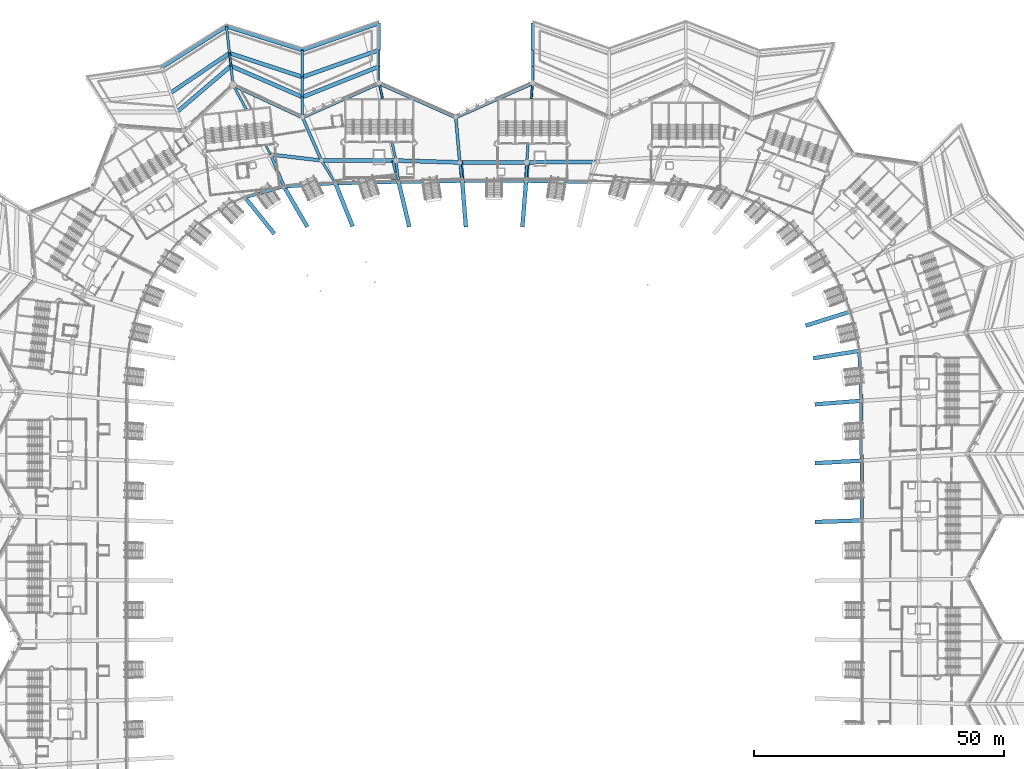
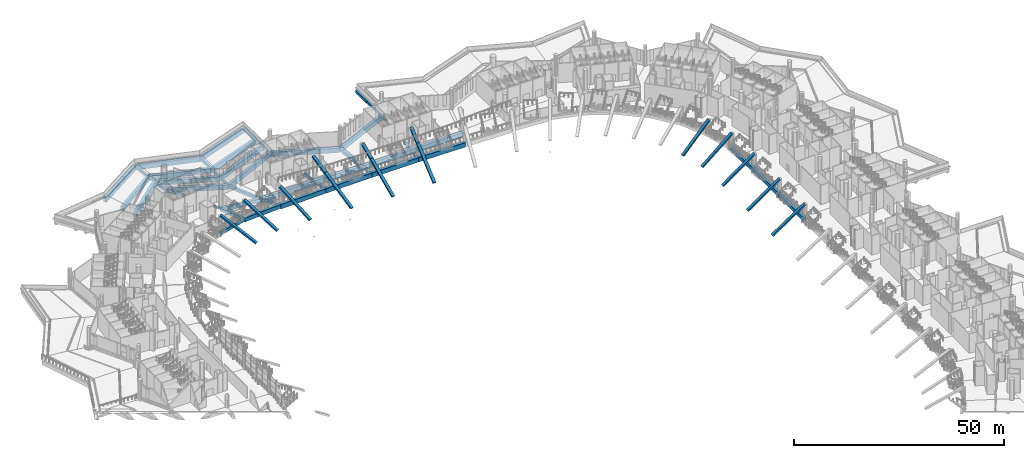
# One storey, part 18 of 173: 66 beams.
"""IFC4 building model written with IfcOpenShell, lengths in metres."""

from ifc_helpers import new_model, si_unit, direction, frame, origin, origin_2d, place, context, subcontext, project, spatial, rectangle, extrude, material, material_profile, profile_set, type_object, element, save


model = new_model("IFC4")

# Units and contexts
model_context = context("Model", 3, precision=1e-05, world=origin(), true_north=direction((0.0, 1.0)))
body_context = subcontext(model_context, "Body", "Model", "MODEL_VIEW")
ifc_project = project(units=[si_unit("LENGTHUNIT", "METRE"), si_unit("AREAUNIT", "SQUARE_METRE"), si_unit("VOLUMEUNIT", "CUBIC_METRE"), si_unit("PLANEANGLEUNIT", "RADIAN"), si_unit("MASSUNIT", "GRAM", prefix="KILO")], contexts=[model_context])

# Site, building, storey
site_placement = place(None, origin())
site = spatial("IfcSite", under=ifc_project, at=site_placement, CompositionType="ELEMENT")
building_placement = place(site_placement, origin())
building = spatial("IfcBuilding", under=site, at=building_placement, Name="Meseta Stadium", CompositionType="ELEMENT")
storey_placement = place(building_placement, frame((0.0, 0.0, 18.0)))
storey = spatial("IfcBuildingStorey", under=building, at=storey_placement, Name="L03", CompositionType="ELEMENT", Elevation=18.0)

# Beams
ifc_material_1 = material(Name="Concrete C40/50", Category="concrete")
ifc_material_profile_1 = material_profile(ifc_material_1, rectangle(XDim=0.39990234375, YDim=0.60009765625, at=origin_2d()), Name="RC 400x600")
ifc_profile_set_1 = profile_set([ifc_material_profile_1], Name="Concrete C40/50")
beam_type_1 = type_object("IfcBeamType", Name="RC beam 400x600", PredefinedType="BEAM", material=ifc_profile_set_1)
beam_1_placement = place(storey_placement, frame((7.44189453125, 102.300048828125, -0.64990234375), z_axis=(0.072346739974, 0.997379541205, 0.0), x_axis=(-0.997379541205, 0.072346739974, 0.0)))
element("IfcBeam", 1, at=beam_1_placement, inside=storey, type_object=beam_type_1, Name="L03 radial beam frame 18 line P to R", PredefinedType="BEAM", context=body_context, shape_type="SweptSolid", body=[
    extrude(rectangle(XDim=0.39990234375, YDim=0.60009765625, at=origin_2d()), origin(), (0.0, 0.0, 1.0), 3.10791015625),
])
beam_2_placement = place(storey_placement, frame((-22.3251953125, 102.300048828125, -0.64990234375), z_axis=(-0.212707595725, 0.977115898305, 0.0), x_axis=(-0.977115898305, -0.212707595725, 0.0)))
element("IfcBeam", 2, at=beam_2_placement, inside=storey, type_object=beam_type_1, Name="L03 radial beam frame 20 line P to R", PredefinedType="BEAM", context=body_context, shape_type="SweptSolid", body=[
    extrude(rectangle(XDim=0.39990234375, YDim=0.60009765625, at=origin_2d()), origin(), (0.0, 0.0, 1.0), 3.17236328125),
])
beam_3_placement = place(storey_placement, frame((-44.6826171875, 91.0908203125, -0.64990234375), z_axis=(-0.474170370951, 0.880433108937, 0.0), x_axis=(-0.880433108937, -0.474170370951, 0.0)))
element("IfcBeam", 3, at=beam_3_placement, inside=storey, type_object=beam_type_1, Name="L03 radial beam frame 22 line P to R", PredefinedType="BEAM", context=body_context, shape_type="SweptSolid", body=[
    extrude(rectangle(XDim=0.39990234375, YDim=0.60009765625, at=origin_2d()), origin(), (0.0, 0.0, 1.0), 2.063720703125),
])
for number, where, z_axis, x_axis, name in (
    (4, (7.666748046875, 105.39990234375, -0.699951171875), (0.0, 1.0, 0.0), (-1.0, 0.0, 0.0), "L03 radial beam frame 18 line R to M"),
    (5, (7.666748046875, 108.699951171875, -0.699951171875), (0.0, 1.0, 0.0), (-1.0, 0.0, 0.0), "L03 radial beam frame 18 line M to Q"),
    (6, (-23.0, 105.39990234375, -0.699951171875), (0.0, 1.0, 0.0), (-1.0, 0.0, 0.0), "L03 radial beam frame 20 line R to M"),
    (7, (-23.0, 108.699951171875, -0.699951171875), (0.0, 1.0, 0.0), (-1.0, 0.0, 0.0), "L03 radial beam frame 20 line M to Q"),
):
    element("IfcBeam", number, at=place(storey_placement, frame(where, z_axis=z_axis, x_axis=x_axis)), inside=storey, type_object=beam_type_1, Name=name, PredefinedType="BEAM", context=body_context, shape_type="SweptSolid", body=[
        extrude(rectangle(XDim=0.39990234375, YDim=0.60009765625, at=origin_2d()), origin(), (0.0, 0.0, 1.0), 3.300048828125),
    ])
beam_4_placement = place(storey_placement, frame((-52.626220703125, 108.80810546875, -0.699951171875), z_axis=(-0.111926742176, 0.99371646076, 0.0), x_axis=(-0.99371646076, -0.111926742176, 0.0)))
element("IfcBeam", 8, at=beam_4_placement, inside=storey, type_object=beam_type_1, Name="L03 radial beam frame 22 line M to Q", PredefinedType="BEAM", context=body_context, shape_type="SweptSolid", body=[
    extrude(rectangle(XDim=0.39990234375, YDim=0.60009765625, at=origin_2d()), origin(), (0.0, 0.0, 1.0), 2.580322265625),
])
ifc_material_2 = material(Name="Concrete C40/50", Category="concrete")
ifc_material_profile_2 = material_profile(ifc_material_2, rectangle(XDim=0.5, YDim=0.75, at=origin_2d()), Name="RC 500x750")
ifc_profile_set_2 = profile_set([ifc_material_profile_2], Name="Concrete C40/50")
beam_type_2 = type_object("IfcBeamType", Name="RC beam 500x750", PredefinedType="BEAM", material=ifc_profile_set_2)
beam_5_placement = place(storey_placement, frame((6.386962890625, 85.876708984375, -0.72509765625), z_axis=(0.035437776234, 0.999371884743, 0.0), x_axis=(-0.999371884743, 0.035437776234, 0.0)))
element("IfcBeam", 9, at=beam_5_placement, inside=storey, type_object=beam_type_2, Name="L03 radial beam frame 18 line E to P", PredefinedType="BEAM", context=body_context, shape_type="SweptSolid", body=[
    extrude(rectangle(XDim=0.5, YDim=0.75, at=origin_2d()), origin(), (0.0, 0.0, 1.0), 3.671875),
])
beam_6_placement = place(storey_placement, frame((6.51708984375, 89.54638671875, -0.72509765625), z_axis=(0.072312695021, 0.997382010134, 0.0), x_axis=(-0.997382010134, 0.072312695021, 0.0)))
element("IfcBeam", 10, at=beam_6_placement, inside=storey, type_object=beam_type_2, Name="L03 radial beam frame 18 line P to R", PredefinedType="BEAM", context=body_context, shape_type="SweptSolid", body=[
    extrude(rectangle(XDim=0.5, YDim=0.75, at=origin_2d()), origin(), (0.0, 0.0, 1.0), 3.6630859375),
])
beam_7_placement = place(storey_placement, frame((-6.386962890625, 85.876708984375, -0.72509765625), z_axis=(-0.131671729661, 0.991293375146, 0.0), x_axis=(-0.991293375146, -0.131671729661, 0.0)))
element("IfcBeam", 11, at=beam_7_placement, inside=storey, type_object=beam_type_2, Name="L03 radial beam frame 19 line E to P", PredefinedType="BEAM", context=body_context, shape_type="SweptSolid", body=[
    extrude(rectangle(XDim=0.5, YDim=0.75, at=origin_2d()), origin(), (0.0, 0.0, 1.0), 3.673095703125),
])
beam_8_placement = place(storey_placement, frame((-19.11865234375, 85.6982421875, -0.72509765625), z_axis=(-0.120104176055, 0.992761294015, 0.0), x_axis=(-0.992761294015, -0.120104176055, 0.0)))
element("IfcBeam", 12, at=beam_8_placement, inside=storey, type_object=beam_type_2, Name="L03 radial beam frame 20 line E to P", PredefinedType="BEAM", context=body_context, shape_type="SweptSolid", body=[
    extrude(rectangle(XDim=0.5, YDim=0.75, at=origin_2d()), origin(), (0.0, 0.0, 1.0), 4.236328125),
])
beam_9_placement = place(storey_placement, frame((-19.62744140625, 89.90380859375, -0.72509765625), z_axis=(-0.212671990307, 0.977123648541, 0.0), x_axis=(-0.977123648541, -0.212671990307, 0.0)))
element("IfcBeam", 13, at=beam_9_placement, inside=storey, type_object=beam_type_2, Name="L03 radial beam frame 20 line P to R", PredefinedType="BEAM", context=body_context, shape_type="SweptSolid", body=[
    extrude(rectangle(XDim=0.5, YDim=0.75, at=origin_2d()), origin(), (0.0, 0.0, 1.0), 3.680419921875),
])
beam_10_placement = place(storey_placement, frame((-31.73681640625, 85.376708984375, -0.72509765625), z_axis=(-0.52451674702, 0.85140013043, 0.0), x_axis=(-0.85140013043, -0.52451674702, 0.0)))
element("IfcBeam", 14, at=beam_10_placement, inside=storey, type_object=beam_type_2, Name="L03 radial beam frame 21 line E to P", PredefinedType="BEAM", context=body_context, shape_type="SweptSolid", body=[
    extrude(rectangle(XDim=0.5, YDim=0.75, at=origin_2d()), origin(), (0.0, 0.0, 1.0), 5.32666015625),
])
beam_11_placement = place(storey_placement, frame((-49.54541015625, 100.1181640625, -0.72509765625), z_axis=(-0.474227121741, 0.880402542594, 0.0), x_axis=(-0.880402542594, -0.474227121741, 0.0)))
element("IfcBeam", 15, at=beam_11_placement, inside=storey, type_object=beam_type_2, Name="L03 radial beam frame 22 line P to R", PredefinedType="BEAM", context=body_context, shape_type="SweptSolid", body=[
    extrude(rectangle(XDim=0.5, YDim=0.75, at=origin_2d()), origin(), (0.0, 0.0, 1.0), 5.603759765625),
])
for number, where, z_axis, x_axis, name in (
    (16, (7.666748046875, 112.0, -0.77490234375), (0.0, 1.0, 0.0), (-1.0, 0.0, 0.0), "L03 radial beam frame 18 line Q to O"),
    (17, (-23.0, 112.0, -0.77490234375), (0.0, 1.0, 0.0), (-1.0, 0.0, 0.0), "L03 radial beam frame 20 line Q to O"),
):
    element("IfcBeam", number, at=place(storey_placement, frame(where, z_axis=z_axis, x_axis=x_axis)), inside=storey, type_object=beam_type_2, Name=name, PredefinedType="BEAM", context=body_context, shape_type="SweptSolid", body=[
        extrude(rectangle(XDim=0.5, YDim=0.75, at=origin_2d()), origin(), (0.0, 0.0, 1.0), 5.39990234375),
    ])
for number, where, z_axis, x_axis, name in (
    (18, (-38.333251953125, 98.60009765625, -0.77490234375), (0.0, 1.0, 0.0), (-1.0, 0.0, 0.0), "L03 radial beam frame 21 line R to M"),
    (19, (-38.333251953125, 102.60009765625, -0.77490234375), (0.0, 1.0, 0.0), (-1.0, 0.0, 0.0), "L03 radial beam frame 21 line M to Q"),
):
    element("IfcBeam", number, at=place(storey_placement, frame(where, z_axis=z_axis, x_axis=x_axis)), inside=storey, type_object=beam_type_2, Name=name, PredefinedType="BEAM", context=body_context, shape_type="SweptSolid", body=[
        extrude(rectangle(XDim=0.5, YDim=0.75, at=origin_2d()), origin(), (0.0, 0.0, 1.0), 4.0),
    ])
beam_12_placement = place(storey_placement, frame((-38.333251953125, 106.60009765625, -0.77490234375), z_axis=(0.0, 1.0, 0.0), x_axis=(-1.0, 0.0, 0.0)))
element("IfcBeam", 20, at=beam_12_placement, inside=storey, type_object=beam_type_2, Name="L03 radial beam frame 21 line Q to O", PredefinedType="BEAM", context=body_context, shape_type="SweptSolid", body=[
    extrude(rectangle(XDim=0.5, YDim=0.75, at=origin_2d()), origin(), (0.0, 0.0, 1.0), 5.39990234375),
])
beam_13_placement = place(storey_placement, frame((-52.202880859375, 105.0517578125, -0.77490234375), z_axis=(-0.111990888536, 0.993709233571, 0.0), x_axis=(-0.993709233571, -0.111990888536, 0.0)))
element("IfcBeam", 21, at=beam_13_placement, inside=storey, type_object=beam_type_2, Name="L03 radial beam frame 22 line R to M", PredefinedType="BEAM", context=body_context, shape_type="SweptSolid", body=[
    extrude(rectangle(XDim=0.5, YDim=0.75, at=origin_2d()), origin(), (0.0, 0.0, 1.0), 3.780029296875),
])
beam_14_placement = place(storey_placement, frame((-52.9150390625, 111.372314453125, -0.77490234375), z_axis=(-0.111944897098, 0.993714415722, 0.0), x_axis=(-0.993714415722, -0.111944897098, 0.0)))
element("IfcBeam", 22, at=beam_14_placement, inside=storey, type_object=beam_type_2, Name="L03 radial beam frame 22 line Q to O", PredefinedType="BEAM", context=body_context, shape_type="SweptSolid", body=[
    extrude(rectangle(XDim=0.5, YDim=0.75, at=origin_2d()), origin(), (0.0, 0.0, 1.0), 5.39990234375),
])
ifc_material_3 = material(Name="Concrete C40/50", Category="concrete")
ifc_material_profile_3 = material_profile(ifc_material_3, rectangle(XDim=0.60009765625, YDim=0.89990234375, at=origin_2d()), Name="RC 600x900")
ifc_profile_set_3 = profile_set([ifc_material_profile_3], Name="Concrete C40/50")
beam_type_3 = type_object("IfcBeamType", Name="RC beam 600x900", PredefinedType="BEAM", material=ifc_profile_set_3)
beam_15_placement = place(storey_placement, frame((-42.015380859375, 84.707275390625, -0.800048828125), z_axis=(-0.961951325549, -0.273220876351, 0.0), x_axis=(0.273220876351, -0.961951325549, 0.0)))
element("IfcBeam", 23, at=beam_15_placement, inside=storey, type_object=beam_type_3, Name="L03 ring beam frame 22 line E", PredefinedType="BEAM", context=body_context, shape_type="SweptSolid", body=[
    extrude(rectangle(XDim=0.60009765625, YDim=0.89990234375, at=origin_2d()), origin(), (0.0, 0.0, 1.0), 8.083251953125),
])
beam_16_placement = place(storey_placement, frame((-6.87060546875, 89.517822265625, -0.800048828125), z_axis=(-0.087324072983, 0.996179956774, 0.0), x_axis=(-0.996179956774, -0.087324072983, 0.0)))
element("IfcBeam", 24, at=beam_16_placement, inside=storey, type_object=beam_type_3, Name="L03 radial beam frame 19 line P to R", PredefinedType="BEAM", context=body_context, shape_type="SweptSolid", body=[
    extrude(rectangle(XDim=0.60009765625, YDim=0.89990234375, at=origin_2d()), origin(), (0.0, 0.0, 1.0), 9.1171875),
])
beam_17_placement = place(storey_placement, frame((-34.53076171875, 89.911865234375, -0.800048828125), z_axis=(-0.4009417199, 0.91610356251, 0.0), x_axis=(-0.91610356251, -0.4009417199, 0.0)))
element("IfcBeam", 25, at=beam_17_placement, inside=storey, type_object=beam_type_3, Name="L03 radial beam frame 21 line P to R", PredefinedType="BEAM", context=body_context, shape_type="SweptSolid", body=[
    extrude(rectangle(XDim=0.60009765625, YDim=0.89990234375, at=origin_2d()), origin(), (0.0, 0.0, 1.0), 9.48388671875),
])
beam_18_placement = place(storey_placement, frame((-42.015380859375, 84.707275390625, -0.800048828125), z_axis=(-0.385529780444, 0.922695393069, 0.0), x_axis=(-0.922695393069, -0.385529780444, 0.0)))
element("IfcBeam", 26, at=beam_18_placement, inside=storey, type_object=beam_type_3, Name="L03 radial beam frame 22 line E to P", PredefinedType="BEAM", context=body_context, shape_type="SweptSolid", body=[
    extrude(rectangle(XDim=0.60009765625, YDim=0.89990234375, at=origin_2d()), origin(), (0.0, 0.0, 1.0), 6.91845703125),
])
ifc_material_4 = material(Name="Concrete C40/50", Category="concrete")
ifc_material_profile_4 = material_profile(ifc_material_4, rectangle(XDim=0.699951171875, YDim=1.10009765625, at=origin_2d()), Name="RC 700x1100")
ifc_profile_set_4 = profile_set([ifc_material_profile_4], Name="Concrete C40/50")
beam_type_4 = type_object("IfcBeamType", Name="RC beam 700x1100", PredefinedType="BEAM", material=ifc_profile_set_4)
beam_19_placement = place(storey_placement, frame((73.482421875, 17.943603515625, -0.89990234375), z_axis=(-0.002592357078, 0.999996639837, 0.0), x_axis=(-0.999996639837, -0.002592357078, 0.0)))
element("IfcBeam", 27, at=beam_19_placement, inside=storey, type_object=beam_type_4, Name="L03 ring beam frame 6 line E", PredefinedType="BEAM", context=body_context, shape_type="SweptSolid", body=[
    extrude(rectangle(XDim=0.699951171875, YDim=1.10009765625, at=origin_2d()), origin(), (0.0, 0.0, 1.0), 11.96044921875),
])
beam_20_placement = place(storey_placement, frame((73.451416015625, 29.904052734375, -0.89990234375), z_axis=(-0.003899441576, 0.999992397149, 0.0), x_axis=(-0.999992397149, -0.003899441576, 0.0)))
element("IfcBeam", 28, at=beam_20_placement, inside=storey, type_object=beam_type_4, Name="L03 ring beam frame 7 line E", PredefinedType="BEAM", context=body_context, shape_type="SweptSolid", body=[
    extrude(rectangle(XDim=0.699951171875, YDim=1.10009765625, at=origin_2d()), origin(), (0.0, 0.0, 1.0), 11.958251953125),
])
beam_21_placement = place(storey_placement, frame((73.40478515625, 41.8623046875, -0.89990234375), z_axis=(-0.041287079546, 0.999147325004, 0.0), x_axis=(-0.999147325004, -0.041287079546, 0.0)))
element("IfcBeam", 29, at=beam_21_placement, inside=storey, type_object=beam_type_4, Name="L03 ring beam frame 8 line E", PredefinedType="BEAM", context=body_context, shape_type="SweptSolid", body=[
    extrude(rectangle(XDim=0.699951171875, YDim=1.10009765625, at=origin_2d()), origin(), (0.0, 0.0, 1.0), 9.993408203125),
])
beam_22_placement = place(storey_placement, frame((-31.73681640625, 85.376708984375, -0.89990234375), z_axis=(-0.997885824096, -0.064991399959, 0.0), x_axis=(0.064991399959, -0.997885824096, 0.0)))
element("IfcBeam", 30, at=beam_22_placement, inside=storey, type_object=beam_type_4, Name="L03 ring beam frame 21 line E", PredefinedType="BEAM", context=body_context, shape_type="SweptSolid", body=[
    extrude(rectangle(XDim=0.699951171875, YDim=1.10009765625, at=origin_2d()), origin(), (0.0, 0.0, 1.0), 10.30029296875),
])
beam_23_placement = place(storey_placement, frame((-34.53076171875, 89.911865234375, -0.89990234375), z_axis=(-0.993324132456, 0.115356698466, 0.0), x_axis=(-0.115356698466, -0.993324132456, 0.0)))
element("IfcBeam", 31, at=beam_23_placement, inside=storey, type_object=beam_type_4, Name="L03 ring beam frame 21 line P", PredefinedType="BEAM", context=body_context, shape_type="SweptSolid", body=[
    extrude(rectangle(XDim=0.699951171875, YDim=1.10009765625, at=origin_2d()), origin(), (0.0, 0.0, 1.0), 10.219970703125),
])
ifc_material_5 = material(Name="Concrete C40/50", Category="concrete")
ifc_material_profile_5 = material_profile(ifc_material_5, rectangle(XDim=0.800048828125, YDim=1.300048828125, at=origin_2d()), Name="RC 800x1300")
ifc_profile_set_5 = profile_set([ifc_material_profile_5], Name="Concrete C40/50")
beam_type_5 = type_object("IfcBeamType", Name="RC beam 800x1300", PredefinedType="BEAM", material=ifc_profile_set_5)
beam_24_placement = place(storey_placement, frame((19.11865234375, 85.6982421875, -1.0), z_axis=(-0.999901768948, 0.014016149746, 0.0), x_axis=(-0.014016149746, -0.999901768948, 0.0)))
element("IfcBeam", 32, at=beam_24_placement, inside=storey, type_object=beam_type_5, Name="L03 ring beam frame 17 line E", PredefinedType="BEAM", context=body_context, shape_type="SweptSolid", body=[
    extrude(rectangle(XDim=0.800048828125, YDim=1.300048828125, at=origin_2d()), origin(), (0.0, 0.0, 1.0), 12.73291015625),
])
beam_25_placement = place(storey_placement, frame((20.649658203125, 89.65625, -1.0), z_axis=(-0.999969785649, -0.007773531251, 0.0), x_axis=(0.007773531251, -0.999969785649, 0.0)))
element("IfcBeam", 33, at=beam_25_placement, inside=storey, type_object=beam_type_5, Name="L03 ring beam frame 17 line P", PredefinedType="BEAM", context=body_context, shape_type="SweptSolid", body=[
    extrude(rectangle(XDim=0.800048828125, YDim=1.300048828125, at=origin_2d()), origin(), (0.0, 0.0, 1.0), 14.133056640625),
])
beam_26_placement = place(storey_placement, frame((6.386962890625, 85.876708984375, -1.0), z_axis=(-1.0, 0.0, 0.0), x_axis=(0.0, -1.0, 0.0)))
element("IfcBeam", 34, at=beam_26_placement, inside=storey, type_object=beam_type_5, Name="L03 ring beam frame 18 line E", PredefinedType="BEAM", context=body_context, shape_type="SweptSolid", body=[
    extrude(rectangle(XDim=0.800048828125, YDim=1.300048828125, at=origin_2d()), origin(), (0.0, 0.0, 1.0), 12.77392578125),
])
beam_27_placement = place(storey_placement, frame((6.51708984375, 89.54638671875, -1.0), z_axis=(-0.999997723809, -0.002133629982, 0.0), x_axis=(0.002133629982, -0.999997723809, 0.0)))
element("IfcBeam", 35, at=beam_27_placement, inside=storey, type_object=beam_type_5, Name="L03 ring beam frame 18 line P", PredefinedType="BEAM", context=body_context, shape_type="SweptSolid", body=[
    extrude(rectangle(XDim=0.800048828125, YDim=1.300048828125, at=origin_2d()), origin(), (0.0, 0.0, 1.0), 13.3876953125),
])
beam_28_placement = place(storey_placement, frame((7.666748046875, 105.39990234375, -1.0), z_axis=(-0.914144956099, -0.405387468033, 0.0), x_axis=(0.405387468033, -0.914144956099, 0.0)))
element("IfcBeam", 36, at=beam_28_placement, inside=storey, type_object=beam_type_5, Name="L03 ring beam frame 18 line R", PredefinedType="BEAM", context=body_context, shape_type="SweptSolid", body=[
    extrude(rectangle(XDim=0.800048828125, YDim=1.300048828125, at=origin_2d()), origin(), (0.0, 0.0, 1.0), 16.773681640625),
])
beam_29_placement = place(storey_placement, frame((-6.386962890625, 85.876708984375, -1.0), z_axis=(-0.999901768948, -0.014016149746, 0.0), x_axis=(0.014016149746, -0.999901768948, 0.0)))
element("IfcBeam", 37, at=beam_29_placement, inside=storey, type_object=beam_type_5, Name="L03 ring beam frame 19 line E", PredefinedType="BEAM", context=body_context, shape_type="SweptSolid", body=[
    extrude(rectangle(XDim=0.800048828125, YDim=1.300048828125, at=origin_2d()), origin(), (0.0, 0.0, 1.0), 12.73291015625),
])
beam_30_placement = place(storey_placement, frame((-6.87060546875, 89.517822265625, -1.0), z_axis=(-0.999542564532, 0.030243374311, 0.0), x_axis=(-0.030243374311, -0.999542564532, 0.0)))
element("IfcBeam", 38, at=beam_30_placement, inside=storey, type_object=beam_type_5, Name="L03 ring beam frame 19 line P", PredefinedType="BEAM", context=body_context, shape_type="SweptSolid", body=[
    extrude(rectangle(XDim=0.800048828125, YDim=1.300048828125, at=origin_2d()), origin(), (0.0, 0.0, 1.0), 12.7626953125),
])
beam_31_placement = place(storey_placement, frame((-7.666748046875, 98.60009765625, -1.0), z_axis=(-0.914142564088, 0.405392861953, 0.0), x_axis=(-0.405392861953, -0.914142564088, 0.0)))
element("IfcBeam", 39, at=beam_31_placement, inside=storey, type_object=beam_type_5, Name="L03 ring beam frame 19 line R", PredefinedType="BEAM", context=body_context, shape_type="SweptSolid", body=[
    extrude(rectangle(XDim=0.800048828125, YDim=1.300048828125, at=origin_2d()), origin(), (0.0, 0.0, 1.0), 16.7734375),
])
beam_32_placement = place(storey_placement, frame((-19.11865234375, 85.6982421875, -1.0), z_axis=(-0.999675497622, -0.02547350496, 0.0), x_axis=(0.02547350496, -0.999675497622, 0.0)))
element("IfcBeam", 40, at=beam_32_placement, inside=storey, type_object=beam_type_5, Name="L03 ring beam frame 20 line E", PredefinedType="BEAM", context=body_context, shape_type="SweptSolid", body=[
    extrude(rectangle(XDim=0.800048828125, YDim=1.300048828125, at=origin_2d()), origin(), (0.0, 0.0, 1.0), 12.622314453125),
])
beam_33_placement = place(storey_placement, frame((-19.62744140625, 89.90380859375, -1.0), z_axis=(-0.999999853879, 0.000540593591, 0.0), x_axis=(-0.000540593591, -0.999999853879, 0.0)))
element("IfcBeam", 41, at=beam_33_placement, inside=storey, type_object=beam_type_5, Name="L03 ring beam frame 20 line P", PredefinedType="BEAM", context=body_context, shape_type="SweptSolid", body=[
    extrude(rectangle(XDim=0.800048828125, YDim=1.300048828125, at=origin_2d()), origin(), (0.0, 0.0, 1.0), 14.9033203125),
])
beam_34_placement = place(storey_placement, frame((-23.0, 105.39990234375, -1.0), z_axis=(-0.914142564088, -0.405392861953, 0.0), x_axis=(0.405392861953, -0.914142564088, 0.0)))
element("IfcBeam", 42, at=beam_34_placement, inside=storey, type_object=beam_type_5, Name="L03 ring beam frame 20 line R", PredefinedType="BEAM", context=body_context, shape_type="SweptSolid", body=[
    extrude(rectangle(XDim=0.800048828125, YDim=1.300048828125, at=origin_2d()), origin(), (0.0, 0.0, 1.0), 16.7734375),
])
beam_35_placement = place(storey_placement, frame((-38.333251953125, 98.60009765625, -1.0), z_axis=(-0.906704363154, 0.421766757625, 0.0), x_axis=(-0.421766757625, -0.906704363154, 0.0)))
element("IfcBeam", 43, at=beam_35_placement, inside=storey, type_object=beam_type_5, Name="L03 ring beam frame 21 line R", PredefinedType="BEAM", context=body_context, shape_type="SweptSolid", body=[
    extrude(rectangle(XDim=0.800048828125, YDim=1.300048828125, at=origin_2d()), origin(), (0.0, 0.0, 1.0), 15.296630859375),
])
beam_36_placement = place(storey_placement, frame((-23.0, 108.699951171875, -1.050048828125), z_axis=(-0.929173963419, -0.369642727108, 0.0), x_axis=(0.369642727108, -0.929173963419, 0.0)))
element("IfcBeam", 44, at=beam_36_placement, inside=storey, type_object=beam_type_5, Name="L03 ring beam frame 20 line M", PredefinedType="BEAM", context=body_context, shape_type="SweptSolid", body=[
    extrude(rectangle(XDim=0.800048828125, YDim=1.300048828125, at=origin_2d()), origin(), (0.0, 0.0, 1.0), 16.501953125),
])
for number, where, z_axis, x_axis, name in (
    (45, (-23.0, 112.0, -1.050048828125), (-0.943218573019, -0.332172731439, 0.0), (0.332172731439, -0.943218573019, 0.0), "L03 ring beam frame 20 line Q"),
    (46, (-23.0, 117.39990234375, -1.050048828125), (-0.943218573019, -0.332172731439, 0.0), (0.332172731439, -0.943218573019, 0.0), "L03 ring beam frame 20 line O"),
):
    element("IfcBeam", number, at=place(storey_placement, frame(where, z_axis=z_axis, x_axis=x_axis)), inside=storey, type_object=beam_type_5, Name=name, PredefinedType="BEAM", context=body_context, shape_type="SweptSolid", body=[
        extrude(rectangle(XDim=0.800048828125, YDim=1.300048828125, at=origin_2d()), origin(), (0.0, 0.0, 1.0), 16.25634765625),
    ])
beam_37_placement = place(storey_placement, frame((-38.333251953125, 102.60009765625, -1.050048828125), z_axis=(-0.917218444674, 0.398384644219, 0.0), x_axis=(-0.398384644219, -0.917218444674, 0.0)))
element("IfcBeam", 47, at=beam_37_placement, inside=storey, type_object=beam_type_5, Name="L03 ring beam frame 21 line M", PredefinedType="BEAM", context=body_context, shape_type="SweptSolid", body=[
    extrude(rectangle(XDim=0.800048828125, YDim=1.300048828125, at=origin_2d()), origin(), (0.0, 0.0, 1.0), 15.5830078125),
])
beam_38_placement = place(storey_placement, frame((-38.333251953125, 106.60009765625, -1.050048828125), z_axis=(-0.950397214569, 0.311038799089, 0.0), x_axis=(-0.311038799089, -0.950397214569, 0.0)))
element("IfcBeam", 48, at=beam_38_placement, inside=storey, type_object=beam_type_5, Name="L03 ring beam frame 21 line Q", PredefinedType="BEAM", context=body_context, shape_type="SweptSolid", body=[
    extrude(rectangle(XDim=0.800048828125, YDim=1.300048828125, at=origin_2d()), origin(), (0.0, 0.0, 1.0), 15.3427734375),
])
beam_39_placement = place(storey_placement, frame((-38.333251953125, 112.0, -1.050048828125), z_axis=(-0.954612869987, 0.297849405667, 0.0), x_axis=(-0.297849405667, -0.954612869987, 0.0)))
element("IfcBeam", 49, at=beam_39_placement, inside=storey, type_object=beam_type_5, Name="L03 ring beam frame 21 line O", PredefinedType="BEAM", context=body_context, shape_type="SweptSolid", body=[
    extrude(rectangle(XDim=0.800048828125, YDim=1.300048828125, at=origin_2d()), origin(), (0.0, 0.0, 1.0), 15.908203125),
])
beam_40_placement = place(storey_placement, frame((-52.626220703125, 108.80810546875, -1.050048828125), z_axis=(-0.761053850743, -0.648688705212, 0.0), x_axis=(0.648688705212, -0.761053850743, 0.0)))
element("IfcBeam", 50, at=beam_40_placement, inside=storey, type_object=beam_type_5, Name="L03 ring beam frame 22 line M", PredefinedType="BEAM", context=body_context, shape_type="SweptSolid", body=[
    extrude(rectangle(XDim=0.800048828125, YDim=1.300048828125, at=origin_2d()), origin(), (0.0, 0.0, 1.0), 14.12060546875),
])
beam_41_placement = place(storey_placement, frame((-52.9150390625, 111.372314453125, -1.050048828125), z_axis=(-0.828920770395, -0.559366030795, 0.0), x_axis=(0.559366030795, -0.828920770395, 0.0)))
element("IfcBeam", 51, at=beam_41_placement, inside=storey, type_object=beam_type_5, Name="L03 ring beam frame 22 line Q", PredefinedType="BEAM", context=body_context, shape_type="SweptSolid", body=[
    extrude(rectangle(XDim=0.800048828125, YDim=1.300048828125, at=origin_2d()), origin(), (0.0, 0.0, 1.0), 14.209716796875),
])
beam_42_placement = place(storey_placement, frame((-53.51953125, 116.73828125, -1.050048828125), z_axis=(-0.844496467493, -0.535561122927, 0.0), x_axis=(0.535561122927, -0.844496467493, 0.0)))
element("IfcBeam", 52, at=beam_42_placement, inside=storey, type_object=beam_type_5, Name="L03 ring beam frame 22 line O", PredefinedType="BEAM", context=body_context, shape_type="SweptSolid", body=[
    extrude(rectangle(XDim=0.800048828125, YDim=1.300048828125, at=origin_2d()), origin(), (0.0, 0.0, 1.0), 15.34375),
])
ifc_material_6 = material(Name="Concrete C40/50", Category="concrete")
ifc_material_profile_6 = material_profile(ifc_material_6, rectangle(XDim=0.800048828125, YDim=0.449951171875, at=origin_2d()), Name="RC 800x450")
ifc_profile_set_6 = profile_set([ifc_material_profile_6], Name="Concrete C40/50")
beam_type_6 = type_object("IfcBeamType", Name="RC raker upper rear 800x450", PredefinedType="USERDEFINED", material=ifc_profile_set_6)
beam_43_placement = place(storey_placement, frame((64.287353515625, 17.64111328125, -2.038818359375), z_axis=(0.84756113567, 0.027882225184, 0.529964812814), x_axis=(-0.032879221322, 0.999459332242, 0.0)))
element("IfcBeam", 53, at=beam_43_placement, inside=storey, type_object=beam_type_6, Name="Raker upper rear frame 6 upper tier", ObjectType="RAKER", PredefinedType="USERDEFINED", context=body_context, shape_type="SweptSolid", body=[
    extrude(rectangle(XDim=0.800048828125, YDim=0.449951171875, at=origin_2d()), origin(), (0.0, 0.0, 1.0), 10.848876953125),
])
beam_44_placement = place(storey_placement, frame((64.26513671875, 29.400390625, -1.9619140625), z_axis=(0.846738668341, 0.046424691652, 0.529979599174), x_axis=(-0.054745427775, 0.998500344586, 0.0)))
element("IfcBeam", 54, at=beam_44_placement, inside=storey, type_object=beam_type_6, Name="Raker upper rear frame 7 upper tier", ObjectType="RAKER", PredefinedType="USERDEFINED", context=body_context, shape_type="SweptSolid", body=[
    extrude(rectangle(XDim=0.800048828125, YDim=0.449951171875, at=origin_2d()), origin(), (0.0, 0.0, 1.0), 10.84912109375),
])
beam_45_placement = place(storey_placement, frame((64.231689453125, 41.158203125, -1.885009765625), z_axis=(0.84553341702, 0.064900816402, 0.529963323951), x_axis=(-0.076532125793, 0.997067115956, 0.0)))
element("IfcBeam", 55, at=beam_45_placement, inside=storey, type_object=beam_type_6, Name="Raker upper rear frame 8 upper tier", ObjectType="RAKER", PredefinedType="USERDEFINED", context=body_context, shape_type="SweptSolid", body=[
    extrude(rectangle(XDim=0.800048828125, YDim=0.449951171875, at=origin_2d()), origin(), (0.0, 0.0, 1.0), 10.848876953125),
])
beam_46_placement = place(storey_placement, frame((63.9091796875, 50.38427734375, -1.880126953125), z_axis=(0.837420529896, 0.134873234468, 0.529656555451), x_axis=(-0.159008836168, 0.987277159677, 0.0)))
element("IfcBeam", 56, at=beam_46_placement, inside=storey, type_object=beam_type_6, Name="Raker upper rear frame 9 upper tier", ObjectType="RAKER", PredefinedType="USERDEFINED", context=body_context, shape_type="SweptSolid", body=[
    extrude(rectangle(XDim=0.800048828125, YDim=0.449951171875, at=origin_2d()), origin(), (0.0, 0.0, 1.0), 10.846435546875),
])
beam_47_placement = place(storey_placement, frame((62.39111328125, 56.9248046875, -2.052978515625), z_axis=(0.809744587488, 0.253888268747, 0.529012712537), x_axis=(-0.299179955662, 0.954196706204, 0.0)))
element("IfcBeam", 57, at=beam_47_placement, inside=storey, type_object=beam_type_6, Name="Raker upper rear frame 10 upper tier", ObjectType="RAKER", PredefinedType="USERDEFINED", context=body_context, shape_type="SweptSolid", body=[
    extrude(rectangle(XDim=0.800048828125, YDim=0.449951171875, at=origin_2d()), origin(), (0.0, 0.0, 1.0), 10.841064453125),
])
beam_48_placement = place(storey_placement, frame((5.6591796875, 76.70556640625, -2.133056640625), z_axis=(0.067141018552, 0.84607593489, 0.528817166918), x_axis=(-0.9968661234, 0.079107092077, 0.0)))
element("IfcBeam", 58, at=beam_48_placement, inside=storey, type_object=beam_type_6, Name="Raker upper rear frame 18 upper tier", ObjectType="RAKER", PredefinedType="USERDEFINED", context=body_context, shape_type="SweptSolid", body=[
    extrude(rectangle(XDim=0.800048828125, YDim=0.449951171875, at=origin_2d()), origin(), (0.0, 0.0, 1.0), 10.839599609375),
])
beam_49_placement = place(storey_placement, frame((6.386962890625, 85.876708984375, 3.59912109375), z_axis=(0.0671961663, 0.846107021718, 0.528760421207), x_axis=(-0.996861226925, 0.079168770691, 0.0)))
element("IfcBeam", 59, at=beam_49_placement, inside=storey, type_object=beam_type_6, Name="Raker upper rear frame 18 upper tier", ObjectType="RAKER", PredefinedType="USERDEFINED", context=body_context, shape_type="SweptSolid", body=[
    extrude(rectangle(XDim=0.800048828125, YDim=0.449951171875, at=origin_2d()), origin(), (0.0, 0.0, 1.0), 4.323486328125),
])
beam_50_placement = place(storey_placement, frame((-5.6591796875, 76.70556640625, -2.133056640625), z_axis=(-0.067141018552, 0.84607593489, 0.528817166918), x_axis=(-0.9968661234, -0.079107092077, 0.0)))
element("IfcBeam", 60, at=beam_50_placement, inside=storey, type_object=beam_type_6, Name="Raker upper rear frame 19 upper tier", ObjectType="RAKER", PredefinedType="USERDEFINED", context=body_context, shape_type="SweptSolid", body=[
    extrude(rectangle(XDim=0.800048828125, YDim=0.449951171875, at=origin_2d()), origin(), (0.0, 0.0, 1.0), 10.839599609375),
])
beam_51_placement = place(storey_placement, frame((-6.386962890625, 85.876708984375, 3.59912109375), z_axis=(-0.0671961663, 0.846107021718, 0.528760421207), x_axis=(-0.996861226925, -0.079168770691, 0.0)))
element("IfcBeam", 61, at=beam_51_placement, inside=storey, type_object=beam_type_6, Name="Raker upper rear frame 19 upper tier", ObjectType="RAKER", PredefinedType="USERDEFINED", context=body_context, shape_type="SweptSolid", body=[
    extrude(rectangle(XDim=0.800048828125, YDim=0.449951171875, at=origin_2d()), origin(), (0.0, 0.0, 1.0), 4.323486328125),
])
beam_52_placement = place(storey_placement, frame((-16.98779296875, 76.748291015625, -1.56396484375), z_axis=(-0.196569020816, 0.825621417746, 0.528876067349), x_axis=(-0.972808207748, -0.231612156284, 0.0)))
element("IfcBeam", 62, at=beam_52_placement, inside=storey, type_object=beam_type_6, Name="Raker upper rear frame 20 upper tier", ObjectType="RAKER", PredefinedType="USERDEFINED", context=body_context, shape_type="SweptSolid", body=[
    extrude(rectangle(XDim=0.800048828125, YDim=0.449951171875, at=origin_2d()), origin(), (0.0, 0.0, 1.0), 10.84033203125),
])
beam_53_placement = place(storey_placement, frame((-19.11865234375, 85.6982421875, 4.169189453125), z_axis=(-0.196566934135, 0.825610593672, 0.528893739821), x_axis=(-0.972808077559, -0.231612703099, 0.0)))
element("IfcBeam", 63, at=beam_53_placement, inside=storey, type_object=beam_type_6, Name="Raker upper rear frame 20 upper tier", ObjectType="RAKER", PredefinedType="USERDEFINED", context=body_context, shape_type="SweptSolid", body=[
    extrude(rectangle(XDim=0.800048828125, YDim=0.449951171875, at=origin_2d()), origin(), (0.0, 0.0, 1.0), 4.970458984375),
])
for number, where, z_axis, x_axis, name in (
    (64, (-28.343505859375, 76.825439453125, -1.033203125), (-0.312995776054, 0.788761065694, 0.529045957756), (-0.929492588518, -0.368840789351, 0.0), "Raker upper rear frame 21 upper tier"),
    (65, (-37.41162109375, 76.7421875, -0.91259765625), (-0.424649252816, 0.734697028855, 0.529049419123), (-0.865784594888, -0.500416861481, 0.0), "Raker upper rear frame 22 upper tier"),
):
    element("IfcBeam", number, at=place(storey_placement, frame(where, z_axis=z_axis, x_axis=x_axis)), inside=storey, type_object=beam_type_6, Name=name, ObjectType="RAKER", PredefinedType="USERDEFINED", context=body_context, shape_type="SweptSolid", body=[
        extrude(rectangle(XDim=0.800048828125, YDim=0.449951171875, at=origin_2d()), origin(), (0.0, 0.0, 1.0), 10.84130859375),
    ])
beam_54_placement = place(storey_placement, frame((-44.01318359375, 75.339599609375, -1.3212890625), z_axis=(-0.532996151365, 0.66042335598, 0.528919742027), x_axis=(-0.778184591749, -0.628035620936, 0.0)))
element("IfcBeam", 66, at=beam_54_placement, inside=storey, type_object=beam_type_6, Name="Raker upper rear frame 23 upper tier", ObjectType="RAKER", PredefinedType="USERDEFINED", context=body_context, shape_type="SweptSolid", body=[
    extrude(rectangle(XDim=0.800048828125, YDim=0.449951171875, at=origin_2d()), origin(), (0.0, 0.0, 1.0), 10.84033203125),
])

save(model, "model.ifc")
